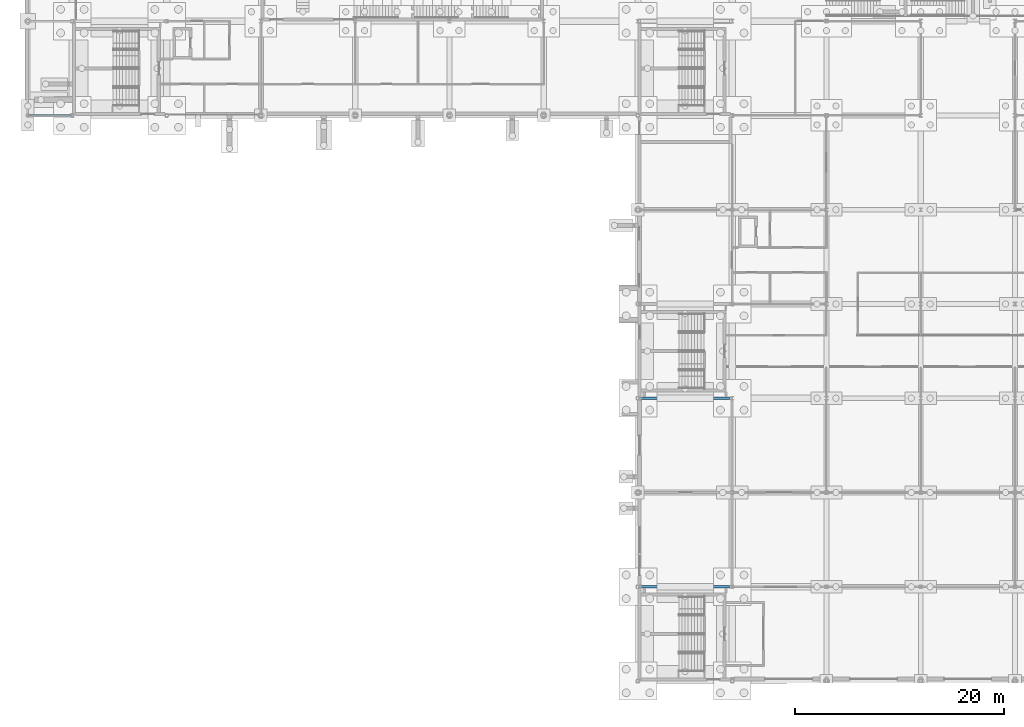
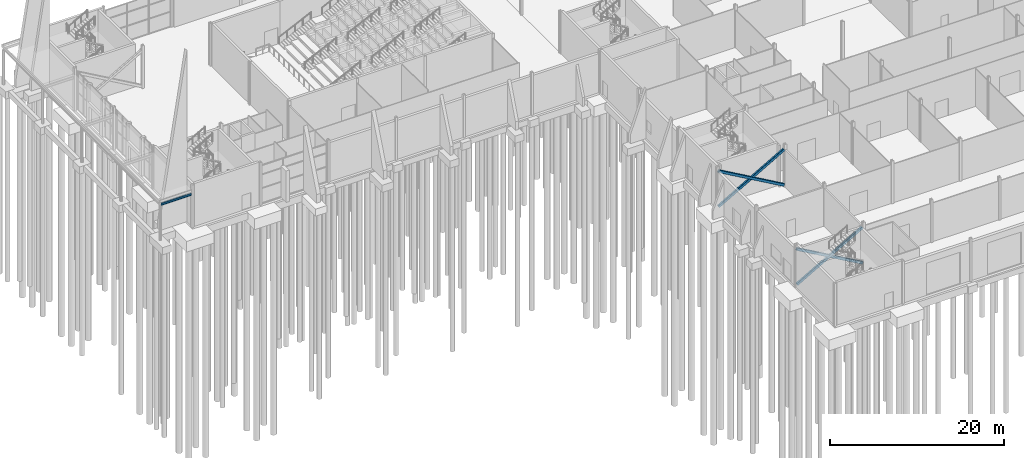
# One storey, part 37 of 139: 4 members, 1 beam.
"""IFC4 building model written with IfcOpenShell, lengths in metres."""

from ifc_helpers import new_model, si_unit, direction, frame, origin, origin_2d, place, context, subcontext, project, spatial, hollow_rectangle, i_section, extrude, material, material_profile, profile_set, type_object, element, save


model = new_model("IFC4")

# Units and contexts
model_context = context("Model", 3, precision=1e-05, world=origin(), true_north=direction((0.0, 1.0)))
body_context = subcontext(model_context, "Body", "Model", "MODEL_VIEW")
ifc_project = project(units=[si_unit("LENGTHUNIT", "METRE"), si_unit("AREAUNIT", "SQUARE_METRE"), si_unit("VOLUMEUNIT", "CUBIC_METRE"), si_unit("PLANEANGLEUNIT", "RADIAN"), si_unit("MASSUNIT", "GRAM", prefix="KILO")], contexts=[model_context])

# Site, building, storey
site_placement = place(None, origin())
site = spatial("IfcSite", under=ifc_project, at=site_placement, CompositionType="ELEMENT")
building_placement = place(site_placement, origin())
building = spatial("IfcBuilding", under=site, at=building_placement, Name="Shorebreak Coast Museum", CompositionType="ELEMENT")
storey_placement = place(building_placement, origin())
storey = spatial("IfcBuildingStorey", under=building, at=storey_placement, Name="L00", CompositionType="ELEMENT", Elevation=0.0)

# Beam
ifc_material_1 = material(Name="Steel Grade 300", Category="steel")
ifc_material_profile_1 = material_profile(ifc_material_1, i_section(OverallWidth=0.14892578125, OverallDepth=0.298095703125, WebThickness=0.005615234375, FlangeThickness=0.008056640625, FilletRadius=0.012939453125, at=origin_2d()), Name="310UB32.0")
ifc_profile_set_1 = profile_set([ifc_material_profile_1], Name="Steel Grade 300")
beam_type = type_object("IfcBeamType", Name="Arcade primary beam 310UB32.0", PredefinedType="BEAM", material=ifc_profile_set_1)
beam_placement = place(storey_placement, frame((-0.14990234375, 54.0, 4.65087890625), z_axis=(-1.0, 0.0, 0.0), x_axis=(0.0, -1.0, 0.0)))
element("IfcBeam", 1, at=beam_placement, inside=storey, type_object=beam_type, Name="Arcade primary beam west 1", PredefinedType="BEAM", context=body_context, shape_type="SweptSolid", body=[
    extrude(i_section(OverallWidth=0.14892578125, OverallDepth=0.298095703125, WebThickness=0.005615234375, FlangeThickness=0.008056640625, FilletRadius=0.012939453125, at=origin_2d()), origin(), (0.0, 0.0, 1.0), 4.025634765625),
])

# Members
ifc_material_2 = material(Name="Steel Grade C450L0", Category="steel")
ifc_material_profile_2 = material_profile(ifc_material_2, hollow_rectangle(XDim=0.25, YDim=0.35009765625, WallThickness=0.012451171875, InnerFilletRadius=0.018798828125, OuterFilletRadius=0.03125, at=origin_2d()), Name="350x250x12.5 RHS")
ifc_profile_set_2 = profile_set([ifc_material_profile_2], Name="Steel Grade C450L0")
member_type = type_object("IfcMemberType", Name="X-brace 350x250x12.5 RHS", PredefinedType="BRACE", material=ifc_profile_set_2)
for number, where, z_axis, x_axis, name in (
    (2, (54.14990234375, 9.0, 0.300048828125), (0.86798657867, 0.0, 0.496587655152), (0.0, 1.0, 0.0), "X-brace bay 13 L00 diagonal 1"),
    (3, (62.845458984375, 9.0, 0.300048828125), (-0.86798657867, 0.0, 0.496587655152), (0.0, -1.0, 0.0), "X-brace bay 13 L00 diagonal 2"),
    (4, (54.14990234375, 27.0, 0.300048828125), (0.86798657867, 0.0, 0.496587655152), (0.0, 1.0, 0.0), "X-brace bay 15 L00 diagonal 1"),
    (5, (62.845458984375, 27.0, 0.300048828125), (-0.86798657867, 0.0, 0.496587655152), (0.0, -1.0, 0.0), "X-brace bay 15 L00 diagonal 2"),
):
    element("IfcMember", number, at=place(storey_placement, frame(where, z_axis=z_axis, x_axis=x_axis)), inside=storey, type_object=member_type, Name=name, PredefinedType="BRACE", context=body_context, shape_type="SweptSolid", body=[
        extrude(hollow_rectangle(XDim=0.25, YDim=0.35009765625, WallThickness=0.012451171875, InnerFilletRadius=0.018798828125, OuterFilletRadius=0.03125, at=origin_2d()), origin(), (0.0, 0.0, 1.0), 10.01806640625),
    ])

save(model, "model.ifc")
